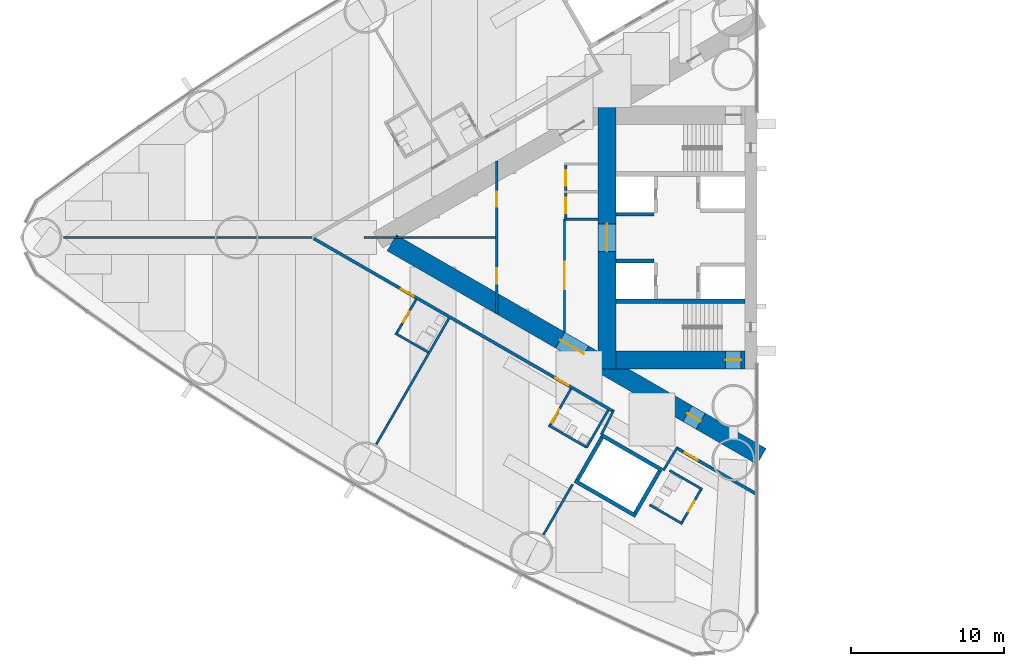
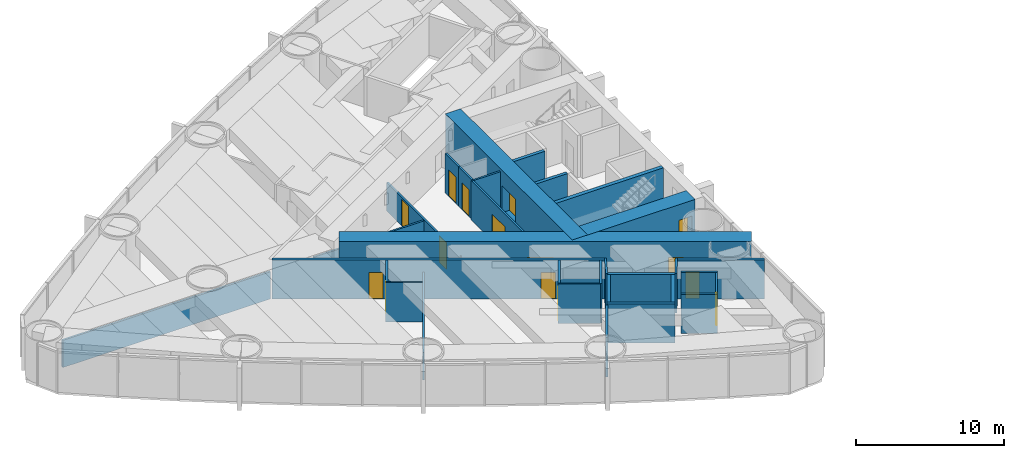
# One storey, part 11 of 19: 31 walls, 15 doors, 15 openings.
"""IFC4 building model written with IfcOpenShell, lengths in metres."""

import ifcopenshell
import ifcopenshell.guid

model = None  # the IFC model being written
_history = None  # IfcOwnerHistory: only IFC2X3 demands one
_inside = {}  # id of a spatial element -> (the spatial element, [elements in it])
_under = {}  # id of a project, library or spatial element -> (it, [spatial elements below it])
_declared = {}  # id of a project -> (the project, [libraries it declares])
_typed = {}  # id of a type object -> (the type object, [elements of that type])
_made_of = {}  # id of a material, layer set ... -> (it, [elements and type objects made of it])


def new_model(schema):
    """Start an empty IFC model of exactly this schema.

    Asked for "IFC4X3", IfcOpenShell would pick the latest addendum, in which some entities
    have other attributes; the version numbers below select the first issue.
    IFC2X3 requires an IfcOwnerHistory on every rooted entity: one is made here for all.
    """
    global model, _history
    if schema == "IFC4X3":
        model = ifcopenshell.file(schema_version=(4, 3, 0, 0))
    else:
        model = ifcopenshell.file(schema=schema)
    _inside.clear()
    _under.clear()
    _declared.clear()
    _typed.clear()
    _made_of.clear()
    _history = None
    if model.schema == "IFC2X3":
        org = make("IfcOrganization", Name="unknown")
        user = make(
            "IfcPersonAndOrganization",
            ThePerson=make("IfcPerson", FamilyName="unknown"),
            TheOrganization=org,
        )
        app = make(
            "IfcApplication",
            ApplicationDeveloper=org,
            Version="unknown",
            ApplicationFullName="unknown",
            ApplicationIdentifier="unknown",
        )
        _history = make(
            "IfcOwnerHistory",
            OwningUser=user,
            OwningApplication=app,
            ChangeAction="ADDED",
            CreationDate=0,
        )
    return model


def make(cls, **values):
    """One entity of the class cls with the attributes given. An attribute that is None is left unset."""
    return model.create_entity(
        cls, **{name: value for name, value in values.items() if value is not None}
    )


def rooted(cls, **values):
    """An entity with a GlobalId (a new one), such as an element, a storey or a relation."""
    return make(cls, GlobalId=ifcopenshell.guid.new(), OwnerHistory=_history, **values)


def si_unit(unit_type, name, prefix=None):
    """IfcSIUnit, for example si_unit("LENGTHUNIT", "METRE", prefix="MILLI")."""
    return make("IfcSIUnit", UnitType=unit_type, Prefix=prefix, Name=name)


def assignment(units):
    """IfcUnitAssignment: the units of a project."""
    return None if units is None else make("IfcUnitAssignment", Units=units)


def point(xyz):
    """IfcCartesianPoint."""
    return None if xyz is None else make("IfcCartesianPoint", Coordinates=xyz)


def direction(xyz):
    """IfcDirection."""
    return None if xyz is None else make("IfcDirection", DirectionRatios=xyz)


def frame(location, z_axis=None, x_axis=None):
    """IfcAxis2Placement3D, a coordinate frame: its origin and axes. An axis left out is left unset."""
    return make(
        "IfcAxis2Placement3D",
        Location=point(location),
        Axis=direction(z_axis),
        RefDirection=direction(x_axis),
    )


def frame_2d(location, x_axis=None):
    """IfcAxis2Placement2D, a coordinate frame in the plane: its origin and x axis."""
    return make(
        "IfcAxis2Placement2D", Location=point(location), RefDirection=direction(x_axis)
    )


def origin():
    """The frame at (0, 0, 0) with its axes left unset."""
    return frame((0.0, 0.0, 0.0))


def place(relative_to, where):
    """IfcLocalPlacement: puts the frame where relative to a parent placement (None: the world)."""
    return make(
        "IfcLocalPlacement", PlacementRelTo=relative_to, RelativePlacement=where
    )


def context(
    kind, dimensions, precision=None, world=None, true_north=None, identifier=None
):
    """IfcGeometricRepresentationContext, for example the 3D "Model" context."""
    return make(
        "IfcGeometricRepresentationContext",
        ContextIdentifier=identifier,
        ContextType=kind,
        CoordinateSpaceDimension=dimensions,
        Precision=precision,
        WorldCoordinateSystem=world,
        TrueNorth=true_north,
    )


def subcontext(parent, identifier, kind, view, scale=None):
    """IfcGeometricRepresentationSubContext, for example "Body" below "Model"."""
    return make(
        "IfcGeometricRepresentationSubContext",
        ContextIdentifier=identifier,
        ContextType=kind,
        ParentContext=parent,
        TargetScale=scale,
        TargetView=view,
    )


def project(units=None, contexts=None):
    """IfcProject with its units and contexts."""
    return rooted(
        "IfcProject",
        Name="project",
        RepresentationContexts=contexts,
        UnitsInContext=assignment(units),
    )


def spatial(cls, under=None, at=None, **own):
    """A site, building, storey or space (cls), placed at a placement, below another one or the project."""
    s = rooted(cls, ObjectPlacement=at, **own)
    if under is not None:
        _under.setdefault(under.id(), (under, []))[1].append(s)
    return s


def profile(cls, at=None, kind="AREA", **sizes):
    """A parametric profile (cls). Its sizes go by their IFC names, for example OverallWidth=200.0."""
    return make(cls, ProfileType=kind, Position=at, **sizes)


def rectangle(**sizes):
    """IfcRectangleProfileDef."""
    return profile("IfcRectangleProfileDef", **sizes)


def extrude(swept, where, along, depth):
    """IfcExtrudedAreaSolid: the profile swept, set in the frame where, extruded along a direction by depth."""
    return make(
        "IfcExtrudedAreaSolid",
        SweptArea=swept,
        Position=where,
        ExtrudedDirection=direction(along),
        Depth=depth,
    )


def shape(context_of_items, identifier, shape_type, items):
    """IfcShapeRepresentation: the items that make up one representation, for example the "Body"."""
    return make(
        "IfcShapeRepresentation",
        ContextOfItems=context_of_items,
        RepresentationIdentifier=identifier,
        RepresentationType=shape_type,
        Items=items,
    )


def material(Name=None, Category=None):
    """IfcMaterial."""
    return make("IfcMaterial", Name=Name, Category=Category)


def layer(
    of_material, thickness, ventilated=None, Name=None, Category=None, Priority=None
):
    """IfcMaterialLayer: one layer of a wall or slab, of a material (None: an air gap)."""
    return make(
        "IfcMaterialLayer",
        Material=of_material,
        LayerThickness=thickness,
        IsVentilated=ventilated,
        Name=Name,
        Category=Category,
        Priority=Priority,
    )


def layer_set(layers, Name=None):
    """IfcMaterialLayerSet."""
    return make("IfcMaterialLayerSet", MaterialLayers=layers, LayerSetName=Name)


def made_of(thing, what):
    """Note that an element or type object is made of a material, layer set ...; save() writes the relation."""
    if what is not None:
        _made_of.setdefault(what.id(), (what, []))[1].append(thing)
    return thing


def type_object(cls, material=None, **own):
    """A type object (cls), such as IfcWallType, which elements share."""
    return made_of(rooted(cls, **own), material)


def element(
    cls,
    number,
    at=None,
    inside=None,
    cuts=None,
    type_object=None,
    material=None,
    context=None,
    identifier="Body",
    shape_type=None,
    held_by="IfcProductDefinitionShape",
    body=None,
    shapes=None,
    **own,
):
    """One element of the class cls, such as IfcWall. Its Tag is "e" and its number.

    at: its placement. inside: the storey or other place that contains it. cuts: it is an
    opening in that element (IfcRelVoidsElement). A single representation is given by context,
    identifier, shape_type and body (its items); several are given by shapes. held_by: the class
    of the entity that holds the representations. save() writes the other relations.
    """
    e = rooted(cls, Tag="e%d" % number, ObjectPlacement=at, **own)
    if body is not None:
        shapes = [shape(context, identifier, shape_type, body)]
    if shapes is not None:
        e.Representation = make(held_by, Representations=shapes)
    if inside is not None:
        _inside.setdefault(inside.id(), (inside, []))[1].append(e)
    if cuts is not None:
        rooted(
            "IfcRelVoidsElement", RelatingBuildingElement=cuts, RelatedOpeningElement=e
        )
    if type_object is not None:
        _typed.setdefault(type_object.id(), (type_object, []))[1].append(e)
    return made_of(e, material)


def fill(opening, filler):
    """IfcRelFillsElement: the door or window that sits in an opening."""
    return rooted(
        "IfcRelFillsElement",
        RelatingOpeningElement=opening,
        RelatedBuildingElement=filler,
    )


def aggregate(whole, parts):
    """IfcRelAggregates: a whole, such as a stair, and the parts it consists of."""
    return rooted("IfcRelAggregates", RelatingObject=whole, RelatedObjects=parts)


def save(model, path):
    """Write the relations noted so far, then the file.

    IfcRelAggregates (storeys below a building ...), IfcRelContainedInSpatialStructure (elements
    in a storey), IfcRelDefinesByType, IfcRelAssociatesMaterial and IfcRelDeclares: one each for
    every whole, place, type object, material and project.
    """
    for whole, parts in _under.values():
        aggregate(whole, parts)
    for where, things in _inside.values():
        rooted(
            "IfcRelContainedInSpatialStructure",
            RelatedElements=things,
            RelatingStructure=where,
        )
    for kind, things in _typed.values():
        rooted("IfcRelDefinesByType", RelatedObjects=things, RelatingType=kind)
    for what, things in _made_of.values():
        rooted("IfcRelAssociatesMaterial", RelatedObjects=things, RelatingMaterial=what)
    for by, libraries in _declared.values():
        rooted("IfcRelDeclares", RelatingContext=by, RelatedDefinitions=libraries)
    model.write(path)


model = new_model("IFC4")

# Units and contexts
model_context = context("Model", 3, precision=1e-05, world=origin(), true_north=direction((0.0, 1.0)))
body_context = subcontext(model_context, "Body", "Model", "MODEL_VIEW")
ifc_project = project(units=[si_unit("LENGTHUNIT", "METRE"), si_unit("AREAUNIT", "SQUARE_METRE"), si_unit("VOLUMEUNIT", "CUBIC_METRE"), si_unit("PLANEANGLEUNIT", "RADIAN"), si_unit("MASSUNIT", "GRAM", prefix="KILO")], contexts=[model_context])

# Site, building, storey
site_placement = place(None, origin())
site = spatial("IfcSite", under=ifc_project, at=site_placement, CompositionType="ELEMENT")
building_placement = place(site_placement, origin())
building = spatial("IfcBuilding", under=site, at=building_placement, Name="Lancet Gate Hotel", CompositionType="ELEMENT")
storey_placement = place(building_placement, frame((0.0, 0.0, 18.0)))
storey = spatial("IfcBuildingStorey", under=building, at=storey_placement, Name="L03", CompositionType="ELEMENT", Elevation=18.0)

# Wall
ifc_material_1 = material(Name="Moisture resistant board partition")
ifc_layer_1 = layer(ifc_material_1, 0.14990234375)
ifc_layer_set_1 = layer_set([ifc_layer_1], Name="Bathroom wall 150")
wall_type_1 = type_object("IfcWallType", Name="Bathroom wall 150", PredefinedType="PARTITIONING", material=ifc_layer_set_1)
wall_1_placement = place(storey_placement, frame((-48.99169921875, -7.491943359375, 0.0), z_axis=(0.0, 0.0, 1.0), x_axis=(-0.866031185235, 0.4999899861, 0.0)))
element("IfcWall", 1, at=wall_1_placement, inside=storey, type_object=wall_type_1, Name="T1 bathroom wall 150 L03", PredefinedType="PARTITIONING", context=body_context, shape_type="SweptSolid", body=[
    extrude(rectangle(XDim=2.47509765625, YDim=0.14990234375, at=frame_2d((1.237548828125, 0.0))), origin(), (0.0, 0.0, 1.0), 3.25),
])

# Wall, opening, door
wall_2_placement = place(storey_placement, frame((-49.770263671875, -4.040283203125, 0.0), z_axis=(0.0, 0.0, 1.0), x_axis=(-0.500006934395, -0.866021400173, 0.0)))
wall_2 = element("IfcWall", 2, at=wall_2_placement, inside=storey, type_object=wall_type_1, Name="T1 bathroom wall 150 L03", PredefinedType="PARTITIONING", context=body_context, shape_type="SweptSolid", body=[
    extrude(rectangle(XDim=2.60009765625, YDim=0.14990234375, at=frame_2d((1.300048828125, 0.0))), origin(), (0.0, 0.0, 1.0), 3.25),
])
opening_1_placement = place(wall_2_placement, frame((0.89990234375, 0.0, 0.0)))
opening_1 = element("IfcOpeningElement", 3, at=opening_1_placement, cuts=wall_2, Name="Opening 0305-B", PredefinedType="OPENING", context=body_context, shape_type="SweptSolid", body=[
    extrude(rectangle(XDim=0.800048828125, YDim=2.199951171875, at=frame_2d((0.39990234375, 1.10009765625))), frame((0.0, 0.0849609375, 0.0), z_axis=(0.0, -1.0, 0.0), x_axis=(1.0, 0.0, 0.0)), (0.0, 0.0, 1.0), 0.169921875),
])
ifc_material_2 = material(Name="Timber door set", Category="wood")
door_type_1 = type_object("IfcDoorType", Name="Bathroom door 800", OperationType="SINGLE_SWING_RIGHT", PredefinedType="DOOR", material=ifc_material_2)
door_1_placement = place(opening_1_placement, origin())
door_1 = element("IfcDoor", 4, at=door_1_placement, inside=storey, type_object=door_type_1, Name="0305-B", OperationType="SINGLE_SWING_RIGHT", OverallHeight=2.199951171875, OverallWidth=0.800048828125, PredefinedType="DOOR", context=body_context, shape_type="SweptSolid", body=[
    extrude(rectangle(XDim=0.800048828125, YDim=2.199951171875, at=frame_2d((0.39990234375, 1.10009765625))), frame((0.0, 0.02490234375, 0.0), z_axis=(0.0, -1.0, 0.0), x_axis=(1.0, 0.0, 0.0)), (0.0, 0.0, 1.0), 0.050048828125),
])
fill(opening_1, door_1)

# Wall
wall_3_placement = place(storey_placement, frame((-38.630126953125, -13.705322265625, 0.0), z_axis=(0.0, 0.0, 1.0), x_axis=(-0.866018712932, 0.500011588718, 0.0)))
element("IfcWall", 5, at=wall_3_placement, inside=storey, type_object=wall_type_1, Name="T1 bathroom wall 150 L03", PredefinedType="PARTITIONING", context=body_context, shape_type="SweptSolid", body=[
    extrude(rectangle(XDim=2.875, YDim=0.14990234375, at=frame_2d((1.4375, 0.0))), origin(), (0.0, 0.0, 1.0), 3.25),
])

# Wall, opening, door
wall_4_placement = place(storey_placement, frame((-39.65478515625, -9.88037109375, 0.0), z_axis=(0.0, 0.0, 1.0), x_axis=(-0.500049511043, -0.865996816683, 0.0)))
wall_4 = element("IfcWall", 6, at=wall_4_placement, inside=storey, type_object=wall_type_1, Name="T1 bathroom wall 150 L03", PredefinedType="PARTITIONING", context=body_context, shape_type="SweptSolid", body=[
    extrude(rectangle(XDim=2.800048828125, YDim=0.14990234375, at=frame_2d((1.39990234375, 0.0))), origin(), (0.0, 0.0, 1.0), 3.25),
])
opening_2_placement = place(wall_4_placement, frame((1.550048828125, 0.0, 0.0)))
opening_2 = element("IfcOpeningElement", 7, at=opening_2_placement, cuts=wall_4, Name="Opening 0307-B", PredefinedType="OPENING", context=body_context, shape_type="SweptSolid", body=[
    extrude(rectangle(XDim=1.0, YDim=2.199951171875, at=frame_2d((0.5, 1.10009765625))), frame((0.0, 0.0849609375, 0.0), z_axis=(0.0, -1.0, 0.0), x_axis=(1.0, 0.0, 0.0)), (0.0, 0.0, 1.0), 0.169921875),
])
ifc_material_3 = material(Name="Timber door set", Category="wood")
door_type_2 = type_object("IfcDoorType", Name="Accessible en-suite door 1000", OperationType="SINGLE_SWING_RIGHT", PredefinedType="DOOR", material=ifc_material_3)
door_2_placement = place(opening_2_placement, origin())
door_2 = element("IfcDoor", 8, at=door_2_placement, inside=storey, type_object=door_type_2, Name="0307-B", OperationType="SINGLE_SWING_RIGHT", OverallHeight=2.199951171875, OverallWidth=1.0, PredefinedType="DOOR", context=body_context, shape_type="SweptSolid", body=[
    extrude(rectangle(XDim=1.0, YDim=2.199951171875, at=frame_2d((0.5, 1.10009765625))), frame((0.0, 0.02490234375, 0.0), z_axis=(0.0, -1.0, 0.0), x_axis=(1.0, 0.0, 0.0)), (0.0, 0.0, 1.0), 0.050048828125),
])
fill(opening_2, door_2)

# Walls
wall_5_placement = place(storey_placement, frame((-37.22998046875, -11.280517578125, 0.0), z_axis=(0.0, 0.0, 1.0), x_axis=(-0.500049511043, -0.865996816683, 0.0)))
element("IfcWall", 9, at=wall_5_placement, inside=storey, type_object=wall_type_1, Name="T1 bathroom wall 150 L03", PredefinedType="PARTITIONING", context=body_context, shape_type="SweptSolid", body=[
    extrude(rectangle(XDim=2.800048828125, YDim=0.14990234375, at=frame_2d((1.39990234375, 0.0))), origin(), (0.0, 0.0, 1.0), 3.25),
])
wall_6_placement = place(storey_placement, frame((-32.3759765625, -18.70166015625, 0.0), z_axis=(0.0, 0.0, 1.0), x_axis=(-0.866006523861, 0.500032699561, 0.0)))
element("IfcWall", 10, at=wall_6_placement, inside=storey, type_object=wall_type_1, Name="T1 bathroom wall 150 L03", PredefinedType="PARTITIONING", context=body_context, shape_type="SweptSolid", body=[
    extrude(rectangle(XDim=2.474853515625, YDim=0.14990234375, at=frame_2d((1.2373046875, 0.0))), origin(), (0.0, 0.0, 1.0), 3.25),
])

# Wall, opening, door
wall_7_placement = place(storey_placement, frame((-31.140869140625, -16.41259765625, 0.0), z_axis=(0.0, 0.0, 1.0), x_axis=(-0.500006934395, -0.866021400173, 0.0)))
wall_7 = element("IfcWall", 11, at=wall_7_placement, inside=storey, type_object=wall_type_1, Name="T1 bathroom wall 150 L03", PredefinedType="PARTITIONING", context=body_context, shape_type="SweptSolid", body=[
    extrude(rectangle(XDim=2.60009765625, YDim=0.14990234375, at=frame_2d((1.300048828125, 0.0))), origin(), (0.0, 0.0, 1.0), 3.25),
])
opening_3_placement = place(wall_7_placement, frame((0.89990234375, 0.0, 0.0)))
opening_3 = element("IfcOpeningElement", 12, at=opening_3_placement, cuts=wall_7, Name="Opening 0308-B", PredefinedType="OPENING", context=body_context, shape_type="SweptSolid", body=[
    extrude(rectangle(XDim=0.800048828125, YDim=2.199951171875, at=frame_2d((0.39990234375, 1.10009765625))), frame((0.0, 0.0849609375, 0.0), z_axis=(0.0, -1.0, 0.0), x_axis=(1.0, 0.0, 0.0)), (0.0, 0.0, 1.0), 0.169921875),
])
door_3_placement = place(opening_3_placement, origin())
door_3 = element("IfcDoor", 13, at=door_3_placement, inside=storey, type_object=door_type_1, Name="0308-B", OperationType="SINGLE_SWING_RIGHT", OverallHeight=2.199951171875, OverallWidth=0.800048828125, PredefinedType="DOOR", context=body_context, shape_type="SweptSolid", body=[
    extrude(rectangle(XDim=0.800048828125, YDim=2.199951171875, at=frame_2d((0.39990234375, 1.10009765625))), frame((0.0, 0.02490234375, 0.0), z_axis=(0.0, -1.0, 0.0), x_axis=(1.0, 0.0, 0.0)), (0.0, 0.0, 1.0), 0.050048828125),
])
fill(opening_3, door_3)

# Wall
wall_8_placement = place(storey_placement, frame((-31.075927734375, -16.449951171875, 0.0), z_axis=(0.0, 0.0, 1.0), x_axis=(-0.866073894602, 0.499916002032, 0.0)))
element("IfcWall", 14, at=wall_8_placement, inside=storey, type_object=wall_type_1, Name="T1 bathroom wall 150 L03", PredefinedType="PARTITIONING", context=body_context, shape_type="SweptSolid", body=[
    extrude(rectangle(XDim=2.47509765625, YDim=0.14990234375, at=frame_2d((1.237548828125, 0.0))), origin(), (0.0, 0.0, 1.0), 3.25),
])

# Wall, openings, doors
ifc_material_4 = material(Name="Concrete C70/85", Category="concrete")
ifc_layer_2 = layer(ifc_material_4, 1.199951171875)
ifc_layer_set_2 = layer_set([ifc_layer_2], Name="Buttress wall 1200")
wall_type_2 = type_object("IfcWallType", Name="Buttress wall 1200", PredefinedType="SHEAR", material=ifc_layer_set_2)
wall_9_placement = place(storey_placement, frame((-27.199951171875, -14.300048828125, 0.0), z_axis=(0.0, 0.0, 1.0), x_axis=(-0.866024021859, 0.500002393557, 0.0)))
wall_9 = element("IfcWall", 15, at=wall_9_placement, inside=storey, type_object=wall_type_2, Name="T1 buttress wall N L03", PredefinedType="SHEAR", context=body_context, shape_type="SweptSolid", body=[
    extrude(rectangle(XDim=27.906982421875, YDim=1.199951171875, at=frame_2d((13.95361328125, 0.0))), origin(), (0.0, 0.0, 1.0), 3.5),
])
opening_4_placement = place(wall_9_placement, frame((4.60009765625, 0.0, 0.0)))
opening_4 = element("IfcOpeningElement", 16, at=opening_4_placement, cuts=wall_9, Name="Opening T1-L03-LN", PredefinedType="OPENING", context=body_context, shape_type="SweptSolid", body=[
    extrude(rectangle(XDim=1.0, YDim=2.199951171875, at=frame_2d((0.5, 1.10009765625))), frame((0.0, 0.60986328125, 0.0), z_axis=(0.0, -1.0, 0.0), x_axis=(1.0, 0.0, 0.0)), (0.0, 0.0, 1.0), 1.219970703125),
])
opening_5_placement = place(wall_9_placement, frame((13.39453125, 0.0, 0.0)))
opening_5 = element("IfcOpeningElement", 17, at=opening_5_placement, cuts=wall_9, Name="Opening T1-L03-LHN", PredefinedType="OPENING", context=body_context, shape_type="SweptSolid", body=[
    extrude(rectangle(XDim=1.800048828125, YDim=2.199951171875, at=frame_2d((0.89990234375, 1.10009765625))), frame((0.0, 0.60986328125, 0.0), z_axis=(0.0, -1.0, 0.0), x_axis=(1.0, 0.0, 0.0)), (0.0, 0.0, 1.0), 1.219970703125),
])
ifc_material_5 = material(Name="Timber door set", Category="wood")
door_type_3 = type_object("IfcDoorType", Name="Lobby double door 1800", OperationType="DOUBLE_DOOR_SINGLE_SWING", PredefinedType="DOOR", material=ifc_material_5)
door_4_placement = place(opening_5_placement, origin())
door_4 = element("IfcDoor", 18, at=door_4_placement, inside=storey, type_object=door_type_3, Name="T1-L03-LHN", OperationType="DOUBLE_DOOR_SINGLE_SWING", OverallHeight=2.199951171875, OverallWidth=1.800048828125, PredefinedType="DOOR", context=body_context, shape_type="SweptSolid", body=[
    extrude(rectangle(XDim=1.800048828125, YDim=2.199951171875, at=frame_2d((0.89990234375, 1.10009765625))), frame((0.0, 0.02490234375, 0.0), z_axis=(0.0, -1.0, 0.0), x_axis=(1.0, 0.0, 0.0)), (0.0, 0.0, 1.0), 0.050048828125),
])
fill(opening_5, door_4)
ifc_material_6 = material(Name="Timber door set", Category="wood")
door_type_4 = type_object("IfcDoorType", Name="Stair lobby door 1000", OperationType="SINGLE_SWING_LEFT", PredefinedType="DOOR", material=ifc_material_6)
door_5_placement = place(opening_4_placement, origin())
door_5 = element("IfcDoor", 19, at=door_5_placement, inside=storey, type_object=door_type_4, Name="T1-L03-LN", OperationType="SINGLE_SWING_LEFT", OverallHeight=2.199951171875, OverallWidth=1.0, PredefinedType="DOOR", context=body_context, shape_type="SweptSolid", body=[
    extrude(rectangle(XDim=1.0, YDim=2.199951171875, at=frame_2d((0.5, 1.10009765625))), frame((0.0, 0.02490234375, 0.0), z_axis=(0.0, -1.0, 0.0), x_axis=(1.0, 0.0, 0.0)), (0.0, 0.0, 1.0), 0.050048828125),
])
fill(opening_4, door_5)

# Wall, opening, door
ifc_material_7 = material(Name="Concrete C70/85", Category="concrete")
ifc_layer_3 = layer(ifc_material_7, 1.199951171875)
ifc_layer_set_3 = layer_set([ifc_layer_3], Name="Core wall 1200")
wall_type_3 = type_object("IfcWallType", Name="Core wall 1200", PredefinedType="SHEAR", material=ifc_layer_set_3)
wall_10_placement = place(storey_placement, frame((-37.300048828125, 8.60009765625, 0.0), z_axis=(0.0, 0.0, 1.0), x_axis=(0.0, -1.0, 0.0)))
wall_10 = element("IfcWall", 20, at=wall_10_placement, inside=storey, type_object=wall_type_3, Name="T1 core wall back L03", PredefinedType="SHEAR", context=body_context, shape_type="SweptSolid", body=[
    extrude(rectangle(XDim=17.2001953125, YDim=1.199951171875, at=frame_2d((8.60009765625, 0.0))), origin(), (0.0, 0.0, 1.0), 3.5),
])
opening_6_placement = place(wall_10_placement, frame((7.699951171875, 0.0, 0.0)))
opening_6 = element("IfcOpeningElement", 21, at=opening_6_placement, cuts=wall_10, Name="Opening T1-L03-LL", PredefinedType="OPENING", context=body_context, shape_type="SweptSolid", body=[
    extrude(rectangle(XDim=1.800048828125, YDim=2.199951171875, at=frame_2d((0.89990234375, 1.10009765625))), frame((0.0, 0.60986328125, 0.0), z_axis=(0.0, -1.0, 0.0), x_axis=(1.0, 0.0, 0.0)), (0.0, 0.0, 1.0), 1.219970703125),
])
door_6_placement = place(opening_6_placement, origin())
door_6 = element("IfcDoor", 22, at=door_6_placement, inside=storey, type_object=door_type_3, Name="T1-L03-LL", OperationType="DOUBLE_DOOR_SINGLE_SWING", OverallHeight=2.199951171875, OverallWidth=1.800048828125, PredefinedType="DOOR", context=body_context, shape_type="SweptSolid", body=[
    extrude(rectangle(XDim=1.800048828125, YDim=2.199951171875, at=frame_2d((0.89990234375, 1.10009765625))), frame((0.0, 0.02490234375, 0.0), z_axis=(0.0, -1.0, 0.0), x_axis=(1.0, 0.0, 0.0)), (0.0, 0.0, 1.0), 0.050048828125),
])
fill(opening_6, door_6)

wall_11_placement = place(storey_placement, frame((-28.300048828125, -8.0, 0.0), z_axis=(0.0, 0.0, 1.0), x_axis=(-1.0, 0.0, 0.0)))
wall_11 = element("IfcWall", 23, at=wall_11_placement, inside=storey, type_object=wall_type_3, Name="T1 core wall side-N L03", PredefinedType="SHEAR", context=body_context, shape_type="SweptSolid", body=[
    extrude(rectangle(XDim=8.39990234375, YDim=1.199951171875, at=frame_2d((4.199951171875, 0.0))), origin(), (0.0, 0.0, 1.0), 3.5),
])
opening_7_placement = place(wall_11_placement, frame((0.25, 0.0, 0.0)))
opening_7 = element("IfcOpeningElement", 24, at=opening_7_placement, cuts=wall_11, Name="Opening T1-L03-ST2", PredefinedType="OPENING", context=body_context, shape_type="SweptSolid", body=[
    extrude(rectangle(XDim=1.0, YDim=2.199951171875, at=frame_2d((0.5, 1.10009765625))), frame((0.0, 0.60986328125, 0.0), z_axis=(0.0, -1.0, 0.0), x_axis=(1.0, 0.0, 0.0)), (0.0, 0.0, 1.0), 1.219970703125),
])
ifc_material_8 = material(Name="Timber door set", Category="wood")
door_type_5 = type_object("IfcDoorType", Name="Stair door 1000", OperationType="SINGLE_SWING_RIGHT", PredefinedType="DOOR", material=ifc_material_8)
door_7_placement = place(opening_7_placement, origin())
door_7 = element("IfcDoor", 25, at=door_7_placement, inside=storey, type_object=door_type_5, Name="T1-L03-ST2", OperationType="SINGLE_SWING_RIGHT", OverallHeight=2.199951171875, OverallWidth=1.0, PredefinedType="DOOR", context=body_context, shape_type="SweptSolid", body=[
    extrude(rectangle(XDim=1.0, YDim=2.199951171875, at=frame_2d((0.5, 1.10009765625))), frame((0.0, 0.02490234375, 0.0), z_axis=(0.0, -1.0, 0.0), x_axis=(1.0, 0.0, 0.0)), (0.0, 0.0, 1.0), 0.050048828125),
])
fill(opening_7, door_7)

ifc_material_9 = material(Name="Gypsum board partition")
ifc_layer_4 = layer(ifc_material_9, 0.199951171875)
ifc_layer_set_4 = layer_set([ifc_layer_4], Name="Corridor wall 200")
wall_type_4 = type_object("IfcWallType", Name="Corridor wall 200", PredefinedType="PARTITIONING", material=ifc_layer_set_4)
wall_12_placement = place(storey_placement, frame((-27.572021484375, -16.740966796875, 0.0), z_axis=(0.0, 0.0, 1.0), x_axis=(-0.866024464444, 0.500001626982, 0.0)))
wall_12 = element("IfcWall", 26, at=wall_12_placement, inside=storey, type_object=wall_type_4, Name="T1 corridor wall 200 L03", PredefinedType="PARTITIONING", context=body_context, shape_type="SweptSolid", body=[
    extrude(rectangle(XDim=5.955078125, YDim=0.199951171875, at=frame_2d((2.9775390625, 0.0))), origin(), (0.0, 0.0, 1.0), 3.25),
])
opening_8_placement = place(wall_12_placement, frame((4.405029296875, 0.0, 0.0)))
opening_8 = element("IfcOpeningElement", 27, at=opening_8_placement, cuts=wall_12, Name="Opening 0308-E", PredefinedType="OPENING", context=body_context, shape_type="SweptSolid", body=[
    extrude(rectangle(XDim=0.949951171875, YDim=2.199951171875, at=frame_2d((0.47509765625, 1.10009765625))), frame((0.0, 0.10986328125, 0.0), z_axis=(0.0, -1.0, 0.0), x_axis=(1.0, 0.0, 0.0)), (0.0, 0.0, 1.0), 0.219970703125),
])
ifc_material_10 = material(Name="Timber door set", Category="wood")
door_type_6 = type_object("IfcDoorType", Name="Guest room entry door 950", OperationType="SINGLE_SWING_LEFT", PredefinedType="DOOR", material=ifc_material_10)
door_8_placement = place(opening_8_placement, origin())
door_8 = element("IfcDoor", 28, at=door_8_placement, inside=storey, type_object=door_type_6, Name="0308-E", OperationType="SINGLE_SWING_LEFT", OverallHeight=2.199951171875, OverallWidth=0.949951171875, PredefinedType="DOOR", context=body_context, shape_type="SweptSolid", body=[
    extrude(rectangle(XDim=0.949951171875, YDim=2.199951171875, at=frame_2d((0.47509765625, 1.10009765625))), frame((0.0, 0.02490234375, 0.0), z_axis=(0.0, -1.0, 0.0), x_axis=(1.0, 0.0, 0.0)), (0.0, 0.0, 1.0), 0.050048828125),
])
fill(opening_8, door_8)

# Wall, openings, doors
wall_13_placement = place(storey_placement, frame((-36.920166015625, -11.34375, 0.0), z_axis=(0.0, 0.0, 1.0), x_axis=(-0.866028313256, 0.499994960614, 0.0)))
wall_13 = element("IfcWall", 29, at=wall_13_placement, inside=storey, type_object=wall_type_4, Name="T1 corridor wall 200 L03", PredefinedType="PARTITIONING", context=body_context, shape_type="SweptSolid", body=[
    extrude(rectangle(XDim=22.567626953125, YDim=0.199951171875, at=frame_2d((11.28369140625, 0.0))), origin(), (0.0, 0.0, 1.0), 3.25),
])
opening_9_placement = place(wall_13_placement, frame((15.0302734375, 0.0, 0.0)))
opening_9 = element("IfcOpeningElement", 30, at=opening_9_placement, cuts=wall_13, Name="Opening 0305-E", PredefinedType="OPENING", context=body_context, shape_type="SweptSolid", body=[
    extrude(rectangle(XDim=0.949951171875, YDim=2.199951171875, at=frame_2d((0.47509765625, 1.10009765625))), frame((0.0, 0.10986328125, 0.0), z_axis=(0.0, -1.0, 0.0), x_axis=(1.0, 0.0, 0.0)), (0.0, 0.0, 1.0), 0.219970703125),
])
opening_10_placement = place(wall_13_placement, frame((3.35009765625, 0.0, 0.0)))
opening_10 = element("IfcOpeningElement", 31, at=opening_10_placement, cuts=wall_13, Name="Opening 0307-E", PredefinedType="OPENING", context=body_context, shape_type="SweptSolid", body=[
    extrude(rectangle(XDim=1.0, YDim=2.199951171875, at=frame_2d((0.5, 1.10009765625))), frame((0.0, 0.10986328125, 0.0), z_axis=(0.0, -1.0, 0.0), x_axis=(1.0, 0.0, 0.0)), (0.0, 0.0, 1.0), 0.219970703125),
])
ifc_material_11 = material(Name="Timber door set", Category="wood")
door_type_7 = type_object("IfcDoorType", Name="Accessible guest room door 1000", OperationType="SINGLE_SWING_LEFT", PredefinedType="DOOR", material=ifc_material_11)
door_9_placement = place(opening_10_placement, origin())
door_9 = element("IfcDoor", 32, at=door_9_placement, inside=storey, type_object=door_type_7, Name="0307-E", OperationType="SINGLE_SWING_LEFT", OverallHeight=2.199951171875, OverallWidth=1.0, PredefinedType="DOOR", context=body_context, shape_type="SweptSolid", body=[
    extrude(rectangle(XDim=1.0, YDim=2.199951171875, at=frame_2d((0.5, 1.10009765625))), frame((0.0, 0.02490234375, 0.0), z_axis=(0.0, -1.0, 0.0), x_axis=(1.0, 0.0, 0.0)), (0.0, 0.0, 1.0), 0.050048828125),
])
fill(opening_10, door_9)
door_10_placement = place(opening_9_placement, origin())
door_10 = element("IfcDoor", 33, at=door_10_placement, inside=storey, type_object=door_type_6, Name="0305-E", OperationType="SINGLE_SWING_LEFT", OverallHeight=2.199951171875, OverallWidth=0.949951171875, PredefinedType="DOOR", context=body_context, shape_type="SweptSolid", body=[
    extrude(rectangle(XDim=0.949951171875, YDim=2.199951171875, at=frame_2d((0.47509765625, 1.10009765625))), frame((0.0, 0.02490234375, 0.0), z_axis=(0.0, -1.0, 0.0), x_axis=(1.0, 0.0, 0.0)), (0.0, 0.0, 1.0), 0.050048828125),
])
fill(opening_9, door_10)

# Walls
ifc_material_12 = material(Name="Gypsum board partition")
ifc_layer_5 = layer(ifc_material_12, 0.25)
ifc_layer_set_5 = layer_set([ifc_layer_5], Name="Lift shaft partition 250")
wall_type_5 = type_object("IfcWallType", Name="Lift shaft partition 250", PredefinedType="PARTITIONING", material=ifc_layer_set_5)
wall_14_placement = place(storey_placement, frame((-33.695556640625, -15.197265625, 0.0), z_axis=(0.0, 0.0, 1.0), x_axis=(-0.865976953817, 0.500083908417, 0.0)))
element("IfcWall", 34, at=wall_14_placement, inside=storey, type_object=wall_type_5, Name="T1 lift shaft wall EX L03", PredefinedType="PARTITIONING", context=body_context, shape_type="SweptSolid", body=[
    extrude(rectangle(XDim=4.599365234375, YDim=0.25, at=frame_2d((2.2998046875, 0.0))), origin(), (0.0, 0.0, 1.0), 3.25),
])
wall_15_placement = place(storey_placement, frame((-35.42041015625, -18.185791015625, 0.0), z_axis=(0.0, 0.0, 1.0), x_axis=(-0.865990227814, 0.50006092162, 0.0)))
element("IfcWall", 35, at=wall_15_placement, inside=storey, type_object=wall_type_5, Name="T1 lift shaft wall EX L03", PredefinedType="PARTITIONING", context=body_context, shape_type="SweptSolid", body=[
    extrude(rectangle(XDim=4.599609375, YDim=0.25, at=frame_2d((2.2998046875, 0.0))), origin(), (0.0, 0.0, 1.0), 3.25),
])
wall_16_placement = place(storey_placement, frame((-33.8662109375, -15.242919921875, 0.0), z_axis=(0.0, 0.0, 1.0), x_axis=(-0.499929347863, -0.866066190972, 0.0)))
element("IfcWall", 36, at=wall_16_placement, inside=storey, type_object=wall_type_5, Name="T1 lift shaft wall EX L03", PredefinedType="PARTITIONING", context=body_context, shape_type="SweptSolid", body=[
    extrude(rectangle(XDim=3.20068359375, YDim=0.25, at=frame_2d((1.600341796875, 0.0))), origin(), (0.0, 0.0, 1.0), 3.25),
])
wall_17_placement = place(storey_placement, frame((-37.6328125, -13.068115234375, 0.0), z_axis=(0.0, 0.0, 1.0), x_axis=(-0.499872130319, -0.866099216793, 0.0)))
element("IfcWall", 37, at=wall_17_placement, inside=storey, type_object=wall_type_5, Name="T1 lift shaft wall EX L03", PredefinedType="PARTITIONING", context=body_context, shape_type="SweptSolid", body=[
    extrude(rectangle(XDim=3.200439453125, YDim=0.25, at=frame_2d((1.60009765625, 0.0))), origin(), (0.0, 0.0, 1.0), 3.25),
])
ifc_material_13 = material(Name="Concrete C50/60", Category="concrete")
ifc_layer_6 = layer(ifc_material_13, 0.25)
ifc_layer_set_6 = layer_set([ifc_layer_6], Name="Lift shaft wall 250")
wall_type_6 = type_object("IfcWallType", Name="Lift shaft wall 250", PredefinedType="SHEAR", material=ifc_layer_set_6)
for number, where, z_axis, x_axis, name in (
    (38, (-34.25, 1.52490234375, 0.0), (0.0, 0.0, 1.0), (-1.0, 0.0, 0.0), "T1 core wall pass2-S L03"),
    (39, (-34.25, -1.52490234375, 0.0), (0.0, 0.0, 1.0), (-1.0, 0.0, 0.0), "T1 core wall pass2-N L03"),
):
    element("IfcWall", number, at=place(storey_placement, frame(where, z_axis=z_axis, x_axis=x_axis)), inside=storey, type_object=wall_type_6, Name=name, PredefinedType="SHEAR", context=body_context, shape_type="SweptSolid", body=[
        extrude(rectangle(XDim=2.449951171875, YDim=0.25, at=frame_2d((1.22509765625, 0.0))), origin(), (0.0, 0.0, 1.0), 3.5),
    ])
ifc_material_14 = material(Name="Gypsum board partition")
ifc_layer_7 = layer(ifc_material_14, 0.14990234375)
ifc_layer_set_7 = layer_set([ifc_layer_7], Name="Party wall 150")
wall_type_7 = type_object("IfcWallType", Name="Party wall 150", PredefinedType="PARTITIONING", material=ifc_layer_set_7)
wall_18_placement = place(storey_placement, frame((-47.626708984375, -5.27783203125, 0.0), z_axis=(0.0, 0.0, 1.0), x_axis=(-0.500009844318, -0.86601972009, 0.0)))
element("IfcWall", 40, at=wall_18_placement, inside=storey, type_object=wall_type_7, Name="T1 party wall 150 L03", PredefinedType="PARTITIONING", context=body_context, shape_type="SweptSolid", body=[
    extrude(rectangle(XDim=9.510498046875, YDim=0.14990234375, at=frame_2d((4.75537109375, 0.0))), origin(), (0.0, 0.0, 1.0), 2.25),
])
wall_19_placement = place(storey_placement, frame((-56.568359375, 0.0, 0.0), z_axis=(0.0, 0.0, 1.0), x_axis=(-1.0, 0.0, 0.0)))
element("IfcWall", 41, at=wall_19_placement, inside=storey, type_object=wall_type_7, Name="T1 party wall 150 L03", PredefinedType="PARTITIONING", context=body_context, shape_type="SweptSolid", body=[
    extrude(rectangle(XDim=16.246826171875, YDim=0.14990234375, at=frame_2d((8.12353515625, 0.0))), origin(), (0.0, 0.0, 1.0), 2.25),
])
wall_20_placement = place(storey_placement, frame((-39.55078125, -16.118408203125, 0.0), z_axis=(0.0, 0.0, 1.0), x_axis=(-0.499986503906, -0.866033195618, 0.0)))
element("IfcWall", 42, at=wall_20_placement, inside=storey, type_object=wall_type_7, Name="T1 party wall 150 L03", PredefinedType="PARTITIONING", context=body_context, shape_type="SweptSolid", body=[
    extrude(rectangle(XDim=3.81494140625, YDim=0.14990234375, at=frame_2d((1.907470703125, 0.0))), origin(), (0.0, 0.0, 1.0), 3.25),
])
ifc_material_15 = material(Name="Gypsum board partition")
ifc_layer_8 = layer(ifc_material_15, 0.14990234375)
ifc_layer_set_8 = layer_set([ifc_layer_8], Name="Service room wall 150")
wall_type_8 = type_object("IfcWallType", Name="Service room wall 150", PredefinedType="PARTITIONING", material=ifc_layer_set_8)
wall_21_placement = place(storey_placement, frame((-36.857177734375, -11.2646484375, 0.0), z_axis=(0.0, 0.0, 1.0), x_axis=(-0.454225294761, -0.890886851176, 0.0)))
element("IfcWall", 43, at=wall_21_placement, inside=storey, type_object=wall_type_8, Name="T1 service room wall 150 L03", PredefinedType="PARTITIONING", context=body_context, shape_type="SweptSolid", body=[
    extrude(rectangle(XDim=1.80712890625, YDim=0.14990234375, at=frame_2d((0.903564453125, 0.0))), origin(), (0.0, 0.0, 1.0), 3.25),
])
wall_22_placement = place(storey_placement, frame((-33.62060546875, -15.217529296875, 0.0), z_axis=(0.0, 0.0, 1.0), x_axis=(0.514336634837, 0.857588377991, 0.0)))
element("IfcWall", 44, at=wall_22_placement, inside=storey, type_object=wall_type_8, Name="T1 service room wall 150 L03", PredefinedType="PARTITIONING", context=body_context, shape_type="SweptSolid", body=[
    extrude(rectangle(XDim=1.80517578125, YDim=0.14990234375, at=frame_2d((0.902587890625, 0.0))), origin(), (0.0, 0.0, 1.0), 3.25),
])
wall_23_placement = place(storey_placement, frame((-37.89990234375, 1.199951171875, 0.0), z_axis=(0.0, 0.0, 1.0), x_axis=(-1.0, 0.0, 0.0)))
element("IfcWall", 45, at=wall_23_placement, inside=storey, type_object=wall_type_8, Name="T1 service room wall 150 L03", PredefinedType="PARTITIONING", context=body_context, shape_type="SweptSolid", body=[
    extrude(rectangle(XDim=2.175048828125, YDim=0.14990234375, at=frame_2d((1.08740234375, 0.0))), origin(), (0.0, 0.0, 1.0), 3.25),
])

# Wall, opening, door
wall_24_placement = place(storey_placement, frame((-40.0, 3.074951171875, 0.0), z_axis=(0.0, 0.0, 1.0), x_axis=(0.0, -1.0, 0.0)))
wall_24 = element("IfcWall", 46, at=wall_24_placement, inside=storey, type_object=wall_type_8, Name="T1 service room wall 150 L03", PredefinedType="PARTITIONING", context=body_context, shape_type="SweptSolid", body=[
    extrude(rectangle(XDim=1.949951171875, YDim=0.14990234375, at=frame_2d((0.97509765625, 0.0))), origin(), (0.0, 0.0, 1.0), 3.25),
])
opening_11_placement = place(wall_24_placement, frame((0.47509765625, 0.0, 0.0)))
opening_11 = element("IfcOpeningElement", 47, at=opening_11_placement, cuts=wall_24, Name="Opening T1-L03-HRS0", PredefinedType="OPENING", context=body_context, shape_type="SweptSolid", body=[
    extrude(rectangle(XDim=1.0, YDim=2.199951171875, at=frame_2d((0.5, 1.10009765625))), frame((0.0, 0.0849609375, 0.0), z_axis=(0.0, -1.0, 0.0), x_axis=(1.0, 0.0, 0.0)), (0.0, 0.0, 1.0), 0.169921875),
])
ifc_material_16 = material(Name="Timber door set", Category="wood")
door_type_8 = type_object("IfcDoorType", Name="Service door 1000", OperationType="SINGLE_SWING_LEFT", PredefinedType="DOOR", material=ifc_material_16)
door_11_placement = place(opening_11_placement, origin())
door_11 = element("IfcDoor", 48, at=door_11_placement, inside=storey, type_object=door_type_8, Name="T1-L03-HRS0", OperationType="SINGLE_SWING_LEFT", OverallHeight=2.199951171875, OverallWidth=1.0, PredefinedType="DOOR", context=body_context, shape_type="SweptSolid", body=[
    extrude(rectangle(XDim=1.0, YDim=2.199951171875, at=frame_2d((0.5, 1.10009765625))), frame((0.0, 0.02490234375, 0.0), z_axis=(0.0, -1.0, 0.0), x_axis=(1.0, 0.0, 0.0)), (0.0, 0.0, 1.0), 0.050048828125),
])
fill(opening_11, door_11)

wall_25_placement = place(storey_placement, frame((-40.0, 4.875, 0.0), z_axis=(0.0, 0.0, 1.0), x_axis=(0.0, -1.0, 0.0)))
wall_25 = element("IfcWall", 49, at=wall_25_placement, inside=storey, type_object=wall_type_8, Name="T1 service room wall 150 L03", PredefinedType="PARTITIONING", context=body_context, shape_type="SweptSolid", body=[
    extrude(rectangle(XDim=1.949951171875, YDim=0.14990234375, at=frame_2d((0.97509765625, 0.0))), origin(), (0.0, 0.0, 1.0), 3.25),
])
opening_12_placement = place(wall_25_placement, frame((0.47509765625, 0.0, 0.0)))
opening_12 = element("IfcOpeningElement", 50, at=opening_12_placement, cuts=wall_25, Name="Opening T1-L03-HRS1", PredefinedType="OPENING", context=body_context, shape_type="SweptSolid", body=[
    extrude(rectangle(XDim=1.0, YDim=2.199951171875, at=frame_2d((0.5, 1.10009765625))), frame((0.0, 0.0849609375, 0.0), z_axis=(0.0, -1.0, 0.0), x_axis=(1.0, 0.0, 0.0)), (0.0, 0.0, 1.0), 0.169921875),
])
door_12_placement = place(opening_12_placement, origin())
door_12 = element("IfcDoor", 51, at=door_12_placement, inside=storey, type_object=door_type_8, Name="T1-L03-HRS1", OperationType="SINGLE_SWING_LEFT", OverallHeight=2.199951171875, OverallWidth=1.0, PredefinedType="DOOR", context=body_context, shape_type="SweptSolid", body=[
    extrude(rectangle(XDim=1.0, YDim=2.199951171875, at=frame_2d((0.5, 1.10009765625))), frame((0.0, 0.02490234375, 0.0), z_axis=(0.0, -1.0, 0.0), x_axis=(1.0, 0.0, 0.0)), (0.0, 0.0, 1.0), 0.050048828125),
])
fill(opening_12, door_12)

wall_26_placement = place(storey_placement, frame((-40.074951171875, 1.199951171875, 0.0), z_axis=(0.0, 0.0, 1.0), x_axis=(0.0, -1.0, 0.0)))
wall_26 = element("IfcWall", 52, at=wall_26_placement, inside=storey, type_object=wall_type_8, Name="T1 service room wall 150 L03", PredefinedType="PARTITIONING", context=body_context, shape_type="SweptSolid", body=[
    extrude(rectangle(XDim=7.373779296875, YDim=0.14990234375, at=frame_2d((3.68701171875, 0.0))), origin(), (0.0, 0.0, 1.0), 3.25),
])
opening_13_placement = place(wall_26_placement, frame((2.786865234375, 0.0, 0.0)))
opening_13 = element("IfcOpeningElement", 53, at=opening_13_placement, cuts=wall_26, Name="Opening T1-L03-LH", PredefinedType="OPENING", context=body_context, shape_type="SweptSolid", body=[
    extrude(rectangle(XDim=1.800048828125, YDim=2.199951171875, at=frame_2d((0.89990234375, 1.10009765625))), frame((0.0, 0.0849609375, 0.0), z_axis=(0.0, -1.0, 0.0), x_axis=(1.0, 0.0, 0.0)), (0.0, 0.0, 1.0), 0.169921875),
])
door_13_placement = place(opening_13_placement, origin())
door_13 = element("IfcDoor", 54, at=door_13_placement, inside=storey, type_object=door_type_3, Name="T1-L03-LH", OperationType="DOUBLE_DOOR_SINGLE_SWING", OverallHeight=2.199951171875, OverallWidth=1.800048828125, PredefinedType="DOOR", context=body_context, shape_type="SweptSolid", body=[
    extrude(rectangle(XDim=1.800048828125, YDim=2.199951171875, at=frame_2d((0.89990234375, 1.10009765625))), frame((0.0, 0.02490234375, 0.0), z_axis=(0.0, -1.0, 0.0), x_axis=(1.0, 0.0, 0.0)), (0.0, 0.0, 1.0), 0.050048828125),
])
fill(opening_13, door_13)

# Wall, openings, doors
wall_27_placement = place(storey_placement, frame((-44.5, 5.004638671875, 0.0), z_axis=(0.0, 0.0, 1.0), x_axis=(0.0, -1.0, 0.0)))
wall_27 = element("IfcWall", 55, at=wall_27_placement, inside=storey, type_object=wall_type_8, Name="T1 service room wall 150 L03", PredefinedType="PARTITIONING", context=body_context, shape_type="SweptSolid", body=[
    extrude(rectangle(XDim=10.00927734375, YDim=0.14990234375, at=frame_2d((5.004638671875, 0.0))), origin(), (0.0, 0.0, 1.0), 2.35009765625),
])
opening_14_placement = place(wall_27_placement, frame((2.002197265625, 0.0, 0.0)))
opening_14 = element("IfcOpeningElement", 56, at=opening_14_placement, cuts=wall_27, Name="Opening T1-L03-SV", PredefinedType="OPENING", context=body_context, shape_type="SweptSolid", body=[
    extrude(rectangle(XDim=1.0, YDim=2.199951171875, at=frame_2d((0.5, 1.10009765625))), frame((0.0, 0.0849609375, 0.0), z_axis=(0.0, -1.0, 0.0), x_axis=(1.0, 0.0, 0.0)), (0.0, 0.0, 1.0), 0.169921875),
])
opening_15_placement = place(wall_27_placement, frame((7.0068359375, 0.0, 0.0)))
opening_15 = element("IfcOpeningElement", 57, at=opening_15_placement, cuts=wall_27, Name="Opening T1-L03-SV2", PredefinedType="OPENING", context=body_context, shape_type="SweptSolid", body=[
    extrude(rectangle(XDim=1.0, YDim=2.199951171875, at=frame_2d((0.5, 1.10009765625))), frame((0.0, 0.0849609375, 0.0), z_axis=(0.0, -1.0, 0.0), x_axis=(1.0, 0.0, 0.0)), (0.0, 0.0, 1.0), 0.169921875),
])
door_14_placement = place(opening_14_placement, origin())
door_14 = element("IfcDoor", 58, at=door_14_placement, inside=storey, type_object=door_type_8, Name="T1-L03-SV", OperationType="SINGLE_SWING_LEFT", OverallHeight=2.199951171875, OverallWidth=1.0, PredefinedType="DOOR", context=body_context, shape_type="SweptSolid", body=[
    extrude(rectangle(XDim=1.0, YDim=2.199951171875, at=frame_2d((0.5, 1.10009765625))), frame((0.0, 0.02490234375, 0.0), z_axis=(0.0, -1.0, 0.0), x_axis=(1.0, 0.0, 0.0)), (0.0, 0.0, 1.0), 0.050048828125),
])
fill(opening_14, door_14)
door_15_placement = place(opening_15_placement, origin())
door_15 = element("IfcDoor", 59, at=door_15_placement, inside=storey, type_object=door_type_8, Name="T1-L03-SV2", OperationType="SINGLE_SWING_LEFT", OverallHeight=2.199951171875, OverallWidth=1.0, PredefinedType="DOOR", context=body_context, shape_type="SweptSolid", body=[
    extrude(rectangle(XDim=1.0, YDim=2.199951171875, at=frame_2d((0.5, 1.10009765625))), frame((0.0, 0.02490234375, 0.0), z_axis=(0.0, -1.0, 0.0), x_axis=(1.0, 0.0, 0.0)), (0.0, 0.0, 1.0), 0.050048828125),
])
fill(opening_15, door_15)

# Walls
wall_28_placement = place(storey_placement, frame((-44.574951171875, 0.0, 0.0), z_axis=(0.0, 0.0, 1.0), x_axis=(-1.0, 0.0, 0.0)))
element("IfcWall", 60, at=wall_28_placement, inside=storey, type_object=wall_type_8, Name="T1 service room wall 150 L03", PredefinedType="PARTITIONING", context=body_context, shape_type="SweptSolid", body=[
    extrude(rectangle(XDim=8.59326171875, YDim=0.14990234375, at=frame_2d((4.296630859375, 0.0))), origin(), (0.0, 0.0, 1.0), 2.25),
])
ifc_material_17 = material(Name="Concrete C50/60", Category="concrete")
ifc_layer_9 = layer(ifc_material_17, 0.300048828125)
ifc_layer_set_9 = layer_set([ifc_layer_9], Name="Stair enclosure wall 300")
wall_type_9 = type_object("IfcWallType", Name="Stair enclosure wall 300", PredefinedType="SHEAR", material=ifc_layer_set_9)
wall_29_placement = place(storey_placement, frame((-28.300048828125, -4.14990234375, 0.0), z_axis=(0.0, 0.0, 1.0), x_axis=(-1.0, 0.0, 0.0)))
element("IfcWall", 61, at=wall_29_placement, inside=storey, type_object=wall_type_9, Name="T1 core wall stair-N L03", PredefinedType="SHEAR", context=body_context, shape_type="SweptSolid", body=[
    extrude(rectangle(XDim=8.39990234375, YDim=0.300048828125, at=frame_2d((4.199951171875, 0.0))), origin(), (0.0, 0.0, 1.0), 3.5),
])

save(model, "model.ifc")
